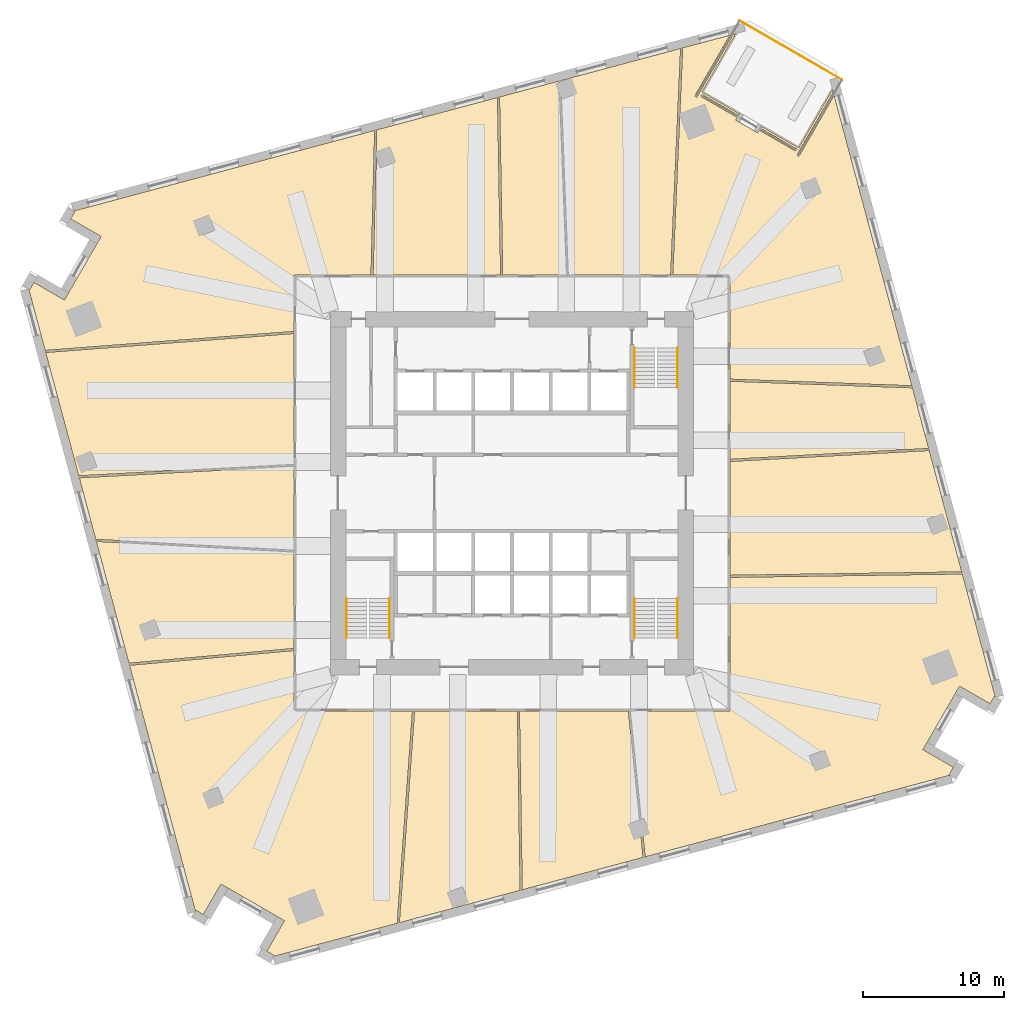
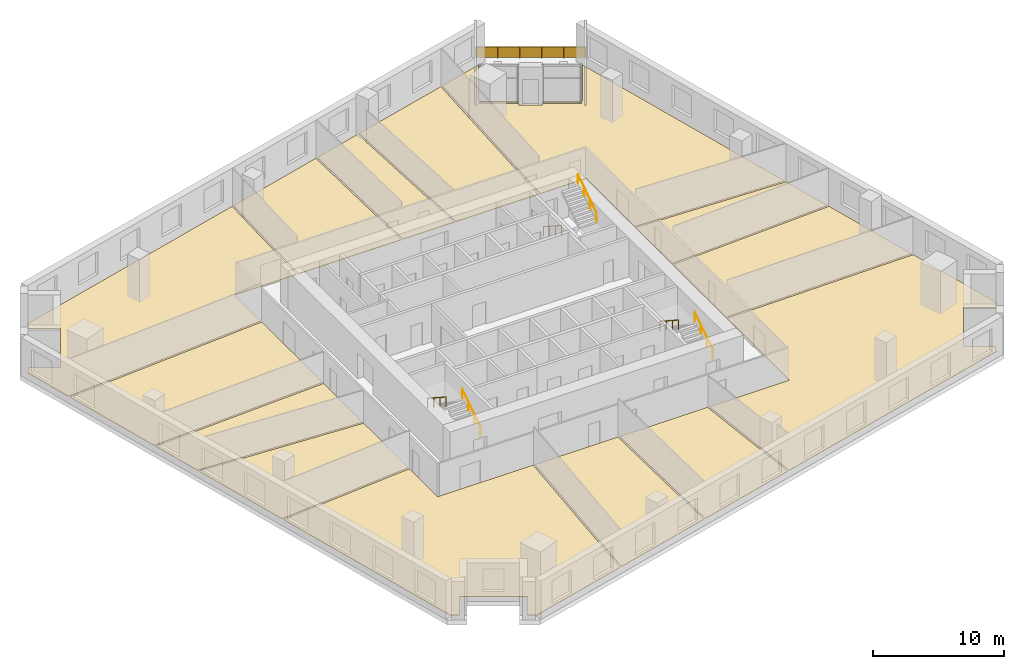
# One storey, part 10 of 11: 14 coverings, 7 railings.
"""IFC4 building model written with IfcOpenShell, lengths in metres."""

import ifcopenshell
import ifcopenshell.guid

model = None  # the IFC model being written
_history = None  # IfcOwnerHistory: only IFC2X3 demands one
_inside = {}  # id of a spatial element -> (the spatial element, [elements in it])
_under = {}  # id of a project, library or spatial element -> (it, [spatial elements below it])
_declared = {}  # id of a project -> (the project, [libraries it declares])
_typed = {}  # id of a type object -> (the type object, [elements of that type])
_made_of = {}  # id of a material, layer set ... -> (it, [elements and type objects made of it])


def new_model(schema):
    """Start an empty IFC model of exactly this schema.

    Asked for "IFC4X3", IfcOpenShell would pick the latest addendum, in which some entities
    have other attributes; the version numbers below select the first issue.
    IFC2X3 requires an IfcOwnerHistory on every rooted entity: one is made here for all.
    """
    global model, _history
    if schema == "IFC4X3":
        model = ifcopenshell.file(schema_version=(4, 3, 0, 0))
    else:
        model = ifcopenshell.file(schema=schema)
    _inside.clear()
    _under.clear()
    _declared.clear()
    _typed.clear()
    _made_of.clear()
    _history = None
    if model.schema == "IFC2X3":
        org = make("IfcOrganization", Name="unknown")
        user = make(
            "IfcPersonAndOrganization",
            ThePerson=make("IfcPerson", FamilyName="unknown"),
            TheOrganization=org,
        )
        app = make(
            "IfcApplication",
            ApplicationDeveloper=org,
            Version="unknown",
            ApplicationFullName="unknown",
            ApplicationIdentifier="unknown",
        )
        _history = make(
            "IfcOwnerHistory",
            OwningUser=user,
            OwningApplication=app,
            ChangeAction="ADDED",
            CreationDate=0,
        )
    return model


def make(cls, **values):
    """One entity of the class cls with the attributes given. An attribute that is None is left unset."""
    return model.create_entity(
        cls, **{name: value for name, value in values.items() if value is not None}
    )


def rooted(cls, **values):
    """An entity with a GlobalId (a new one), such as an element, a storey or a relation."""
    return make(cls, GlobalId=ifcopenshell.guid.new(), OwnerHistory=_history, **values)


def si_unit(unit_type, name, prefix=None):
    """IfcSIUnit, for example si_unit("LENGTHUNIT", "METRE", prefix="MILLI")."""
    return make("IfcSIUnit", UnitType=unit_type, Prefix=prefix, Name=name)


def assignment(units):
    """IfcUnitAssignment: the units of a project."""
    return None if units is None else make("IfcUnitAssignment", Units=units)


def point(xyz):
    """IfcCartesianPoint."""
    return None if xyz is None else make("IfcCartesianPoint", Coordinates=xyz)


def direction(xyz):
    """IfcDirection."""
    return None if xyz is None else make("IfcDirection", DirectionRatios=xyz)


def frame(location, z_axis=None, x_axis=None):
    """IfcAxis2Placement3D, a coordinate frame: its origin and axes. An axis left out is left unset."""
    return make(
        "IfcAxis2Placement3D",
        Location=point(location),
        Axis=direction(z_axis),
        RefDirection=direction(x_axis),
    )


def frame_2d(location, x_axis=None):
    """IfcAxis2Placement2D, a coordinate frame in the plane: its origin and x axis."""
    return make(
        "IfcAxis2Placement2D", Location=point(location), RefDirection=direction(x_axis)
    )


def origin():
    """The frame at (0, 0, 0) with its axes left unset."""
    return frame((0.0, 0.0, 0.0))


def origin_2d():
    """The frame at (0, 0) in the plane with its x axis left unset."""
    return frame_2d((0.0, 0.0))


def place(relative_to, where):
    """IfcLocalPlacement: puts the frame where relative to a parent placement (None: the world)."""
    return make(
        "IfcLocalPlacement", PlacementRelTo=relative_to, RelativePlacement=where
    )


def context(
    kind, dimensions, precision=None, world=None, true_north=None, identifier=None
):
    """IfcGeometricRepresentationContext, for example the 3D "Model" context."""
    return make(
        "IfcGeometricRepresentationContext",
        ContextIdentifier=identifier,
        ContextType=kind,
        CoordinateSpaceDimension=dimensions,
        Precision=precision,
        WorldCoordinateSystem=world,
        TrueNorth=true_north,
    )


def subcontext(parent, identifier, kind, view, scale=None):
    """IfcGeometricRepresentationSubContext, for example "Body" below "Model"."""
    return make(
        "IfcGeometricRepresentationSubContext",
        ContextIdentifier=identifier,
        ContextType=kind,
        ParentContext=parent,
        TargetScale=scale,
        TargetView=view,
    )


def project(units=None, contexts=None):
    """IfcProject with its units and contexts."""
    return rooted(
        "IfcProject",
        Name="project",
        RepresentationContexts=contexts,
        UnitsInContext=assignment(units),
    )


def spatial(cls, under=None, at=None, **own):
    """A site, building, storey or space (cls), placed at a placement, below another one or the project."""
    s = rooted(cls, ObjectPlacement=at, **own)
    if under is not None:
        _under.setdefault(under.id(), (under, []))[1].append(s)
    return s


def polyline(points):
    """IfcPolyline through the points."""
    return make("IfcPolyline", Points=[point(p) for p in points])


def profile(cls, at=None, kind="AREA", **sizes):
    """A parametric profile (cls). Its sizes go by their IFC names, for example OverallWidth=200.0."""
    return make(cls, ProfileType=kind, Position=at, **sizes)


def rectangle(**sizes):
    """IfcRectangleProfileDef."""
    return profile("IfcRectangleProfileDef", **sizes)


def circle(**sizes):
    """IfcCircleProfileDef."""
    return profile("IfcCircleProfileDef", **sizes)


def outline(outer, holes=None, kind="AREA"):
    """IfcArbitraryClosedProfileDef: a profile drawn as a closed curve; with holes, ...WithVoids."""
    if holes is None:
        return make("IfcArbitraryClosedProfileDef", ProfileType=kind, OuterCurve=outer)
    return make(
        "IfcArbitraryProfileDefWithVoids",
        ProfileType=kind,
        OuterCurve=outer,
        InnerCurves=holes,
    )


def extrude(swept, where, along, depth):
    """IfcExtrudedAreaSolid: the profile swept, set in the frame where, extruded along a direction by depth."""
    return make(
        "IfcExtrudedAreaSolid",
        SweptArea=swept,
        Position=where,
        ExtrudedDirection=direction(along),
        Depth=depth,
    )


def shape(context_of_items, identifier, shape_type, items):
    """IfcShapeRepresentation: the items that make up one representation, for example the "Body"."""
    return make(
        "IfcShapeRepresentation",
        ContextOfItems=context_of_items,
        RepresentationIdentifier=identifier,
        RepresentationType=shape_type,
        Items=items,
    )


def material(Name=None, Category=None):
    """IfcMaterial."""
    return make("IfcMaterial", Name=Name, Category=Category)


def layer(
    of_material, thickness, ventilated=None, Name=None, Category=None, Priority=None
):
    """IfcMaterialLayer: one layer of a wall or slab, of a material (None: an air gap)."""
    return make(
        "IfcMaterialLayer",
        Material=of_material,
        LayerThickness=thickness,
        IsVentilated=ventilated,
        Name=Name,
        Category=Category,
        Priority=Priority,
    )


def layer_set(layers, Name=None):
    """IfcMaterialLayerSet."""
    return make("IfcMaterialLayerSet", MaterialLayers=layers, LayerSetName=Name)


def made_of(thing, what):
    """Note that an element or type object is made of a material, layer set ...; save() writes the relation."""
    if what is not None:
        _made_of.setdefault(what.id(), (what, []))[1].append(thing)
    return thing


def type_object(cls, material=None, **own):
    """A type object (cls), such as IfcWallType, which elements share."""
    return made_of(rooted(cls, **own), material)


def element(
    cls,
    number,
    at=None,
    inside=None,
    cuts=None,
    type_object=None,
    material=None,
    context=None,
    identifier="Body",
    shape_type=None,
    held_by="IfcProductDefinitionShape",
    body=None,
    shapes=None,
    **own,
):
    """One element of the class cls, such as IfcWall. Its Tag is "e" and its number.

    at: its placement. inside: the storey or other place that contains it. cuts: it is an
    opening in that element (IfcRelVoidsElement). A single representation is given by context,
    identifier, shape_type and body (its items); several are given by shapes. held_by: the class
    of the entity that holds the representations. save() writes the other relations.
    """
    e = rooted(cls, Tag="e%d" % number, ObjectPlacement=at, **own)
    if body is not None:
        shapes = [shape(context, identifier, shape_type, body)]
    if shapes is not None:
        e.Representation = make(held_by, Representations=shapes)
    if inside is not None:
        _inside.setdefault(inside.id(), (inside, []))[1].append(e)
    if cuts is not None:
        rooted(
            "IfcRelVoidsElement", RelatingBuildingElement=cuts, RelatedOpeningElement=e
        )
    if type_object is not None:
        _typed.setdefault(type_object.id(), (type_object, []))[1].append(e)
    return made_of(e, material)


def aggregate(whole, parts):
    """IfcRelAggregates: a whole, such as a stair, and the parts it consists of."""
    return rooted("IfcRelAggregates", RelatingObject=whole, RelatedObjects=parts)


def save(model, path):
    """Write the relations noted so far, then the file.

    IfcRelAggregates (storeys below a building ...), IfcRelContainedInSpatialStructure (elements
    in a storey), IfcRelDefinesByType, IfcRelAssociatesMaterial and IfcRelDeclares: one each for
    every whole, place, type object, material and project.
    """
    for whole, parts in _under.values():
        aggregate(whole, parts)
    for where, things in _inside.values():
        rooted(
            "IfcRelContainedInSpatialStructure",
            RelatedElements=things,
            RelatingStructure=where,
        )
    for kind, things in _typed.values():
        rooted("IfcRelDefinesByType", RelatedObjects=things, RelatingType=kind)
    for what, things in _made_of.values():
        rooted("IfcRelAssociatesMaterial", RelatedObjects=things, RelatingMaterial=what)
    for by, libraries in _declared.values():
        rooted("IfcRelDeclares", RelatingContext=by, RelatedDefinitions=libraries)
    model.write(path)


model = new_model("IFC4")

# Units and contexts
model_context = context("Model", 3, precision=1e-05, world=origin(), true_north=direction((0.0, 1.0)))
body_context = subcontext(model_context, "Body", "Model", "MODEL_VIEW")
ifc_project = project(units=[si_unit("LENGTHUNIT", "METRE"), si_unit("AREAUNIT", "SQUARE_METRE"), si_unit("VOLUMEUNIT", "CUBIC_METRE"), si_unit("PLANEANGLEUNIT", "RADIAN"), si_unit("MASSUNIT", "GRAM", prefix="KILO")], contexts=[model_context])

# Site, building, storey
site_placement = place(None, origin())
site = spatial("IfcSite", under=ifc_project, at=site_placement, CompositionType="ELEMENT")
building_placement = place(site_placement, origin())
building = spatial("IfcBuilding", under=site, at=building_placement, Name="Dilmun Exchange Tower", CompositionType="ELEMENT")
storey_placement = place(building_placement, frame((0.0, 0.0, 82.10009765625)))
storey = spatial("IfcBuildingStorey", under=building, at=storey_placement, Name="L18", CompositionType="ELEMENT", Elevation=82.10009765625)

# Coverings
ifc_material_1 = material(Name="Carpet floor finish 50")
ifc_layer_1 = layer(ifc_material_1, 0.050048828125)
ifc_layer_set_1 = layer_set([ifc_layer_1], Name="Carpet floor finish 50")
covering_type_1 = type_object("IfcCoveringType", Name="Carpet floor finish 50", PredefinedType="FLOORING", material=ifc_layer_set_1)
covering_1_placement = place(storey_placement, origin())
element("IfcCovering", 1, at=covering_1_placement, inside=storey, type_object=covering_type_1, Name="Carpet floor finish 50 Analyst office", PredefinedType="FLOORING", context=body_context, shape_type="SweptSolid", body=[
    extrude(outline(polyline([(-15.47509765625, 11.327392578125), (-15.47509765625, 2.050048828125), (-30.764404296875, 1.228759765625), (-33.109619140625, 9.98095703125), (-15.47509765625, 11.327392578125)])), origin(), (0.0, 0.0, 1.0), 0.0498046875),
])
covering_2_placement = place(storey_placement, origin())
element("IfcCovering", 2, at=covering_2_placement, inside=storey, type_object=covering_type_1, Name="Carpet floor finish 50 Break-out lounge 1", PredefinedType="FLOORING", context=body_context, shape_type="SweptSolid", body=[
    extrude(outline(polyline([(-15.47509765625, -4.19921875), (-15.47509765625, -11.030029296875), (-27.197998046875, -12.080322265625), (-29.515380859375, -3.431884765625), (-15.47509765625, -4.19921875)])), origin(), (0.0, 0.0, 1.0), 0.0498046875),
])
covering_3_placement = place(storey_placement, origin())
element("IfcCovering", 3, at=covering_3_placement, inside=storey, type_object=covering_type_1, Name="Carpet floor finish 50 Open office 1", PredefinedType="FLOORING", context=body_context, shape_type="SweptSolid", body=[
    extrude(outline(polyline([(-10.010009765625, 15.47509765625), (-15.47509765625, 15.47509765625), (-15.47509765625, 11.477783203125), (-33.14892578125, 10.12841796875), (-34.311279296875, 14.46630859375), (-34.25, 14.430908203125), (-34.249755859375, 14.4306640625), (-34.24951171875, 14.4306640625), (-34.24951171875, 14.430419921875), (-34.249267578125, 14.430419921875), (-34.2490234375, 14.430419921875), (-34.248779296875, 14.430419921875), (-34.24853515625, 14.430419921875), (-34.248291015625, 14.4306640625), (-34.248291015625, 14.4306640625), (-34.248046875, 14.4306640625), (-34.247802734375, 14.430908203125), (-34.247802734375, 14.430908203125), (-34.24755859375, 14.430908203125), (-34.247314453125, 14.43115234375), (-34.247314453125, 14.431396484375), (-34.247314453125, 14.431396484375), (-33.9423828125, 14.959228515625), (-31.779296875, 13.710205078125), (-31.779052734375, 13.710205078125), (-31.77880859375, 13.7099609375), (-31.77880859375, 13.7099609375), (-31.778564453125, 13.7099609375), (-31.7783203125, 13.7099609375), (-31.778076171875, 13.7099609375), (-31.77783203125, 13.7099609375), (-31.777587890625, 13.7099609375), (-31.777587890625, 13.7099609375), (-31.77734375, 13.710205078125), (-31.777099609375, 13.710205078125), (-31.777099609375, 13.710205078125), (-31.77685546875, 13.71044921875), (-31.776611328125, 13.710693359375), (-31.776611328125, 13.710693359375), (-31.776611328125, 13.7109375), (-31.4765625, 14.23046875), (-29.4765625, 17.694580078125), (-29.476318359375, 17.694580078125), (-29.176513671875, 18.214111328125), (-29.176513671875, 18.21435546875), (-29.17626953125, 18.214599609375), (-29.17626953125, 18.21484375), (-29.17626953125, 18.21484375), (-29.17626953125, 18.215087890625), (-29.17626953125, 18.21533203125), (-29.17626953125, 18.215576171875), (-29.17626953125, 18.2158203125), (-29.17626953125, 18.2158203125), (-29.176513671875, 18.216064453125), (-29.176513671875, 18.21630859375), (-29.176513671875, 18.21630859375), (-29.1767578125, 18.216552734375), (-29.177001953125, 18.216796875), (-29.177001953125, 18.216796875), (-29.17724609375, 18.216796875), (-31.340576171875, 19.4658203125), (-31.035888671875, 19.99365234375), (-31.035888671875, 19.993896484375), (-31.03564453125, 19.993896484375), (-31.03564453125, 19.994140625), (-31.03564453125, 19.994384765625), (-31.03564453125, 19.994384765625), (-31.03564453125, 19.99462890625), (-31.03564453125, 19.994873046875), (-31.03564453125, 19.9951171875), (-31.03564453125, 19.995361328125), (-31.035888671875, 19.99560546875), (-31.035888671875, 19.99560546875), (-31.035888671875, 19.995849609375), (-31.0361328125, 19.99609375), (-31.036376953125, 19.99609375), (-31.036376953125, 19.99609375), (-31.03662109375, 19.996337890625), (-31.097900390625, 20.03173828125), (-9.752685546875, 25.751220703125), (-10.010009765625, 15.47509765625)])), origin(), (0.0, 0.0, 1.0), 0.0498046875),
])
covering_4_placement = place(storey_placement, origin())
element("IfcCovering", 4, at=covering_4_placement, inside=storey, type_object=covering_type_1, Name="Carpet floor finish 50 Open office 2", PredefinedType="FLOORING", context=body_context, shape_type="SweptSolid", body=[
    extrude(outline(polyline([(-15.47509765625, -11.1806640625), (-15.47509765625, -15.47509765625), (-7.068603515625, -15.47509765625), (-8.151611328125, -30.548583984375), (-16.915771484375, -32.897216796875), (-16.88037109375, -32.835693359375), (-16.880126953125, -32.83544921875), (-16.880126953125, -32.835205078125), (-16.8798828125, -32.835205078125), (-16.8798828125, -32.8349609375), (-16.8798828125, -32.834716796875), (-16.8798828125, -32.834716796875), (-16.8798828125, -32.83447265625), (-16.880126953125, -32.834228515625), (-16.880126953125, -32.833984375), (-16.880126953125, -32.833740234375), (-16.88037109375, -32.83349609375), (-16.88037109375, -32.83349609375), (-16.880615234375, -32.833251953125), (-16.880615234375, -32.833251953125), (-16.880859375, -32.8330078125), (-16.881103515625, -32.8330078125), (-17.40869140625, -32.5283203125), (-16.15966796875, -30.364990234375), (-16.15966796875, -30.36474609375), (-16.159423828125, -30.364501953125), (-16.159423828125, -30.364501953125), (-16.159423828125, -30.3642578125), (-16.159423828125, -30.364013671875), (-16.159423828125, -30.364013671875), (-16.159423828125, -30.36376953125), (-16.159423828125, -30.363525390625), (-16.159423828125, -30.36328125), (-16.15966796875, -30.363037109375), (-16.15966796875, -30.36279296875), (-16.159912109375, -30.36279296875), (-16.159912109375, -30.362548828125), (-16.16015625, -30.362548828125), (-16.16015625, -30.3623046875), (-16.160400390625, -30.3623046875), (-16.679931640625, -30.062255859375), (-20.14404296875, -28.062255859375), (-20.144287109375, -28.062255859375), (-20.663818359375, -27.76220703125), (-20.663818359375, -27.76220703125), (-20.6640625, -27.76220703125), (-20.664306640625, -27.761962890625), (-20.664306640625, -27.761962890625), (-20.66455078125, -27.761962890625), (-20.664794921875, -27.761962890625), (-20.6650390625, -27.761962890625), (-20.665283203125, -27.76220703125), (-20.665283203125, -27.76220703125), (-20.66552734375, -27.76220703125), (-20.665771484375, -27.76220703125), (-20.666015625, -27.762451171875), (-20.666015625, -27.762451171875), (-20.666259765625, -27.7626953125), (-20.666259765625, -27.7626953125), (-20.66650390625, -27.762939453125), (-21.915283203125, -29.92626953125), (-22.443115234375, -29.62158203125), (-22.443359375, -29.62158203125), (-22.443603515625, -29.62158203125), (-22.443603515625, -29.621337890625), (-22.44384765625, -29.621337890625), (-22.444091796875, -29.621337890625), (-22.444091796875, -29.621337890625), (-22.4443359375, -29.621337890625), (-22.444580078125, -29.62158203125), (-22.44482421875, -29.62158203125), (-22.445068359375, -29.62158203125), (-22.4453125, -29.62158203125), (-22.4453125, -29.621826171875), (-22.445556640625, -29.621826171875), (-22.445556640625, -29.6220703125), (-22.44580078125, -29.622314453125), (-22.44580078125, -29.622314453125), (-22.481201171875, -29.683837890625), (-27.15869140625, -12.2275390625), (-15.47509765625, -11.1806640625)])), origin(), (0.0, 0.0, 1.0), 0.0498046875),
])
covering_5_placement = place(storey_placement, origin())
element("IfcCovering", 5, at=covering_5_placement, inside=storey, type_object=covering_type_1, Name="Carpet floor finish 50 Break-out lounge 2", PredefinedType="FLOORING", context=body_context, shape_type="SweptSolid", body=[
    extrude(outline(polyline([(-0.80908203125, 15.47509765625), (-9.860107421875, 15.47509765625), (-9.601806640625, 25.791748046875), (-1.0322265625, 28.087890625), (-0.80908203125, 15.47509765625)])), origin(), (0.0, 0.0, 1.0), 0.0498046875),
])
covering_6_placement = place(storey_placement, origin())
element("IfcCovering", 6, at=covering_6_placement, inside=storey, type_object=covering_type_1, Name="Carpet floor finish 50 Garden lounge", PredefinedType="FLOORING", context=body_context, shape_type="SweptSolid", body=[
    extrude(outline(polyline([(13.49267578125, 28.469482421875), (16.144287109375, 26.9384765625), (16.072998046875, 26.814697265625), (13.486083984375, 28.30810546875), (13.48583984375, 28.308349609375), (13.485595703125, 28.308349609375), (13.485595703125, 28.308349609375), (13.4853515625, 28.30859375), (13.485107421875, 28.30859375), (13.48486328125, 28.30859375), (13.484619140625, 28.30859375), (13.484619140625, 28.308349609375), (13.484375, 28.308349609375), (13.484130859375, 28.308349609375), (13.48388671875, 28.30810546875), (13.48388671875, 28.30810546875), (13.483642578125, 28.307861328125), (13.4833984375, 28.307861328125), (13.4833984375, 28.3076171875), (13.4833984375, 28.3076171875), (13.4033203125, 28.1689453125), (13.4033203125, 28.168701171875), (13.403076171875, 28.168701171875), (13.403076171875, 28.16845703125), (13.403076171875, 28.168212890625), (13.403076171875, 28.16796875), (13.403076171875, 28.167724609375), (13.403076171875, 28.16748046875), (13.403076171875, 28.16748046875), (13.403076171875, 28.167236328125), (13.4033203125, 28.1669921875), (13.4033203125, 28.1669921875), (13.4033203125, 28.166748046875), (13.403564453125, 28.16650390625), (13.40380859375, 28.16650390625), (13.40380859375, 28.166259765625), (13.404052734375, 28.166259765625), (15.990966796875, 26.672607421875), (15.882080078125, 26.48388671875), (15.8818359375, 26.483642578125), (15.8818359375, 26.4833984375), (15.881591796875, 26.4833984375), (15.881591796875, 26.483154296875), (15.881591796875, 26.48291015625), (15.881591796875, 26.48291015625), (15.881591796875, 26.482666015625), (15.8818359375, 26.482421875), (15.8818359375, 26.482177734375), (15.8818359375, 26.48193359375), (15.882080078125, 26.481689453125), (15.882080078125, 26.481689453125), (15.882080078125, 26.4814453125), (15.88232421875, 26.4814453125), (15.882568359375, 26.481201171875), (15.8828125, 26.481201171875), (17.44140625, 25.581298828125), (17.441650390625, 25.5810546875), (17.44189453125, 25.5810546875), (17.44189453125, 25.580810546875), (17.442138671875, 25.580810546875), (17.4423828125, 25.580810546875), (17.442626953125, 25.580810546875), (17.44287109375, 25.580810546875), (17.443115234375, 25.5810546875), (17.443115234375, 25.5810546875), (17.443359375, 25.5810546875), (17.443603515625, 25.581298828125), (17.443603515625, 25.581298828125), (17.44384765625, 25.581298828125), (17.444091796875, 25.58154296875), (17.444091796875, 25.581787109375), (17.444091796875, 25.581787109375), (17.55322265625, 25.770751953125), (20.14013671875, 24.277099609375), (20.140380859375, 24.277099609375), (20.140380859375, 24.27685546875), (20.140625, 24.27685546875), (20.140869140625, 24.27685546875), (20.14111328125, 24.27685546875), (20.14111328125, 24.27685546875), (20.141357421875, 24.27685546875), (20.1416015625, 24.27685546875), (20.141845703125, 24.27685546875), (20.14208984375, 24.277099609375), (20.14208984375, 24.277099609375), (20.142333984375, 24.277099609375), (20.142578125, 24.27734375), (20.142578125, 24.277587890625), (20.142578125, 24.277587890625), (20.142822265625, 24.27783203125), (20.222900390625, 24.41650390625), (20.222900390625, 24.41650390625), (20.222900390625, 24.416748046875), (20.222900390625, 24.4169921875), (20.22314453125, 24.4169921875), (20.22314453125, 24.417236328125), (20.22314453125, 24.41748046875), (20.22314453125, 24.417724609375), (20.222900390625, 24.41796875), (20.222900390625, 24.418212890625), (20.222900390625, 24.418212890625), (20.222900390625, 24.41845703125), (20.22265625, 24.418701171875), (20.22265625, 24.418701171875), (20.222412109375, 24.4189453125), (20.222412109375, 24.4189453125), (20.22216796875, 24.419189453125), (17.63525390625, 25.91259765625), (17.706787109375, 26.03662109375), (20.358642578125, 24.505615234375), (22.756103515625, 28.658203125), (22.80859375, 28.462890625), (20.219970703125, 23.979248046875), (20.2197265625, 23.97900390625), (20.2197265625, 23.97900390625), (20.2197265625, 23.978759765625), (20.219482421875, 23.978515625), (20.219482421875, 23.978515625), (20.219482421875, 23.978271484375), (20.219482421875, 23.97802734375), (20.2197265625, 23.977783203125), (20.2197265625, 23.9775390625), (20.2197265625, 23.977294921875), (20.219970703125, 23.977294921875), (20.219970703125, 23.97705078125), (20.22021484375, 23.976806640625), (20.22021484375, 23.976806640625), (20.220458984375, 23.976806640625), (20.220703125, 23.9765625), (20.359130859375, 23.896484375), (20.359375, 23.896484375), (20.359619140625, 23.896484375), (20.359619140625, 23.896484375), (20.35986328125, 23.896240234375), (20.360107421875, 23.896240234375), (20.3603515625, 23.896240234375), (20.360595703125, 23.896240234375), (20.360595703125, 23.896484375), (20.36083984375, 23.896484375), (20.361083984375, 23.896484375), (20.361083984375, 23.896484375), (20.361328125, 23.896728515625), (20.361572265625, 23.896728515625), (20.36181640625, 23.89697265625), (20.36181640625, 23.897216796875), (20.36181640625, 23.897216796875), (22.868408203125, 28.23876953125), (28.392822265625, 7.621337890625), (15.47509765625, 8.08837890625), (15.47509765625, 15.47509765625), (11.4140625, 15.47509765625), (12.1201171875, 31.612060546875), (15.470703125, 32.509765625), (12.964111328125, 28.16845703125), (12.964111328125, 28.168212890625), (12.964111328125, 28.16796875), (12.964111328125, 28.16796875), (12.9638671875, 28.167724609375), (12.9638671875, 28.16748046875), (12.9638671875, 28.167236328125), (12.9638671875, 28.1669921875), (12.964111328125, 28.1669921875), (12.964111328125, 28.166748046875), (12.964111328125, 28.16650390625), (12.964111328125, 28.166259765625), (12.96435546875, 28.166259765625), (12.964599609375, 28.166015625), (12.964599609375, 28.166015625), (12.96484375, 28.165771484375), (12.96484375, 28.165771484375), (13.103515625, 28.085693359375), (13.103759765625, 28.085693359375), (13.103759765625, 28.08544921875), (13.10400390625, 28.08544921875), (13.104248046875, 28.08544921875), (13.1044921875, 28.08544921875), (13.1044921875, 28.08544921875), (13.104736328125, 28.08544921875), (13.10498046875, 28.08544921875), (13.105224609375, 28.08544921875), (13.10546875, 28.085693359375), (13.10546875, 28.085693359375), (13.105712890625, 28.085693359375), (13.105712890625, 28.0859375), (13.10595703125, 28.086181640625), (13.106201171875, 28.086181640625), (13.106201171875, 28.08642578125), (15.694580078125, 32.56982421875), (15.89013671875, 32.622314453125), (13.49267578125, 28.469482421875)])), origin(), (0.0, 0.0, 1.0), 0.0498046875),
])
covering_7_placement = place(storey_placement, origin())
element("IfcCovering", 7, at=covering_7_placement, inside=storey, type_object=covering_type_1, Name="Carpet floor finish 50 Open office 3", PredefinedType="FLOORING", context=body_context, shape_type="SweptSolid", body=[
    extrude(outline(polyline([(8.415283203125, -15.47509765625), (15.47509765625, -15.47509765625), (15.47509765625, -5.986328125), (31.974609375, -5.74560546875), (34.311279296875, -14.46630859375), (34.25, -14.430908203125), (34.249755859375, -14.4306640625), (34.24951171875, -14.4306640625), (34.24951171875, -14.430419921875), (34.249267578125, -14.430419921875), (34.2490234375, -14.430419921875), (34.248779296875, -14.430419921875), (34.24853515625, -14.430419921875), (34.248291015625, -14.4306640625), (34.248291015625, -14.4306640625), (34.248046875, -14.4306640625), (34.247802734375, -14.430908203125), (34.247802734375, -14.430908203125), (34.24755859375, -14.430908203125), (34.247314453125, -14.43115234375), (34.247314453125, -14.431396484375), (34.247314453125, -14.431396484375), (33.9423828125, -14.959228515625), (31.779296875, -13.710205078125), (31.779052734375, -13.710205078125), (31.77880859375, -13.7099609375), (31.77880859375, -13.7099609375), (31.778564453125, -13.7099609375), (31.7783203125, -13.7099609375), (31.778076171875, -13.7099609375), (31.77783203125, -13.7099609375), (31.777587890625, -13.7099609375), (31.777587890625, -13.7099609375), (31.77734375, -13.710205078125), (31.777099609375, -13.710205078125), (31.777099609375, -13.710205078125), (31.77685546875, -13.71044921875), (31.776611328125, -13.710693359375), (31.776611328125, -13.710693359375), (31.776611328125, -13.7109375), (31.4765625, -14.23046875), (29.4765625, -17.694580078125), (29.476318359375, -17.694580078125), (29.176513671875, -18.214111328125), (29.176513671875, -18.21435546875), (29.17626953125, -18.214599609375), (29.17626953125, -18.21484375), (29.17626953125, -18.21484375), (29.17626953125, -18.215087890625), (29.17626953125, -18.21533203125), (29.17626953125, -18.215576171875), (29.17626953125, -18.2158203125), (29.17626953125, -18.2158203125), (29.176513671875, -18.216064453125), (29.176513671875, -18.21630859375), (29.176513671875, -18.21630859375), (29.1767578125, -18.216552734375), (29.177001953125, -18.216796875), (29.177001953125, -18.216796875), (29.17724609375, -18.216796875), (31.340576171875, -19.4658203125), (31.035888671875, -19.99365234375), (31.035888671875, -19.993896484375), (31.03564453125, -19.993896484375), (31.03564453125, -19.994140625), (31.03564453125, -19.994384765625), (31.03564453125, -19.994384765625), (31.03564453125, -19.99462890625), (31.03564453125, -19.994873046875), (31.03564453125, -19.9951171875), (31.03564453125, -19.995361328125), (31.035888671875, -19.99560546875), (31.035888671875, -19.99560546875), (31.035888671875, -19.995849609375), (31.0361328125, -19.99609375), (31.036376953125, -19.99609375), (31.036376953125, -19.99609375), (31.03662109375, -19.996337890625), (31.097900390625, -20.03173828125), (9.455322265625, -25.830810546875), (8.415283203125, -15.47509765625)])), origin(), (0.0, 0.0, 1.0), 0.0498046875),
])
covering_8_placement = place(storey_placement, origin())
element("IfcCovering", 8, at=covering_8_placement, inside=storey, type_object=covering_type_1, Name="Carpet floor finish 50 Meeting room", PredefinedType="FLOORING", context=body_context, shape_type="SweptSolid", body=[
    extrude(outline(polyline([(15.47509765625, 2.395263671875), (15.47509765625, 7.9384765625), (28.43359375, 7.4697265625), (29.5859375, 3.168701171875), (15.47509765625, 2.395263671875)])), origin(), (0.0, 0.0, 1.0), 0.0498046875),
])
covering_9_placement = place(storey_placement, origin())
element("IfcCovering", 9, at=covering_9_placement, inside=storey, type_object=covering_type_1, Name="Carpet floor finish 50 Break-out lounge 3", PredefinedType="FLOORING", context=body_context, shape_type="SweptSolid", body=[
    extrude(outline(polyline([(15.47509765625, -5.836181640625), (15.47509765625, 2.2451171875), (29.625732421875, 3.020751953125), (31.9345703125, -5.59619140625), (15.47509765625, -5.836181640625)])), origin(), (0.0, 0.0, 1.0), 0.0498046875),
])

# Railings
ifc_material_2 = material(Name="Stainless steel", Category="steel")
railing_type_1 = type_object("IfcRailingType", Name="Stair handrail 900", PredefinedType="HANDRAIL", material=ifc_material_2)
railing_1_placement = place(storey_placement, frame((8.699951171875, 10.300048828125, 0.181640625)))
element("IfcRailing", 10, at=railing_1_placement, inside=storey, type_object=railing_type_1, Name="L18 ST1 stair handrail 1", PredefinedType="HANDRAIL", context=body_context, shape_type="SweptSolid", body=[
    extrude(circle(Radius=0.02392578125, at=origin_2d()), frame((0.0, 0.0, 0.8759765625), z_axis=(0.0, -0.838672427954, 0.544636170843), x_axis=(1.0, 0.0, 0.0)), (0.0, 0.0, 1.0), 3.338623046875),
    extrude(circle(Radius=0.02099609375, at=origin_2d()), origin(), (0.0, 0.0, 1.0), 0.851806640625),
    extrude(circle(Radius=0.02099609375, at=origin_2d()), frame((0.0, -0.933349609375, 0.606201171875)), (0.0, 0.0, 1.0), 0.851806640625),
    extrude(circle(Radius=0.02099609375, at=origin_2d()), frame((0.0, -1.86669921875, 1.212158203125)), (0.0, 0.0, 1.0), 0.851806640625),
    extrude(circle(Radius=0.02099609375, at=origin_2d()), frame((0.0, -2.800048828125, 1.818359375)), (0.0, 0.0, 1.0), 0.851806640625),
])
for number, where, name in (
    (11, (11.75, 7.5, 2.181640625), "L18 ST1 stair handrail 2"),
    (12, (-8.699951171875, -10.300048828125, 0.181640625), "L18 ST2 stair handrail 1"),
):
    element("IfcRailing", number, at=place(storey_placement, frame(where)), inside=storey, type_object=railing_type_1, Name=name, PredefinedType="HANDRAIL", context=body_context, shape_type="SweptSolid", body=[
        extrude(circle(Radius=0.02392578125, at=origin_2d()), frame((0.0, 0.0, 0.8759765625), z_axis=(0.0, 0.838672427954, 0.544636170843), x_axis=(-1.0, 0.0, 0.0)), (0.0, 0.0, 1.0), 3.338623046875),
        extrude(circle(Radius=0.02099609375, at=origin_2d()), origin(), (0.0, 0.0, 1.0), 0.851806640625),
        extrude(circle(Radius=0.02099609375, at=origin_2d()), frame((0.0, 0.933349609375, 0.606201171875)), (0.0, 0.0, 1.0), 0.851806640625),
        extrude(circle(Radius=0.02099609375, at=origin_2d()), frame((0.0, 1.86669921875, 1.212158203125)), (0.0, 0.0, 1.0), 0.851806640625),
        extrude(circle(Radius=0.02099609375, at=origin_2d()), frame((0.0, 2.800048828125, 1.818359375)), (0.0, 0.0, 1.0), 0.851806640625),
    ])
railing_2_placement = place(storey_placement, frame((-11.75, -7.5, 2.181640625)))
element("IfcRailing", 13, at=railing_2_placement, inside=storey, type_object=railing_type_1, Name="L18 ST2 stair handrail 2", PredefinedType="HANDRAIL", context=body_context, shape_type="SweptSolid", body=[
    extrude(circle(Radius=0.02392578125, at=origin_2d()), frame((0.0, 0.0, 0.8759765625), z_axis=(0.0, -0.838672427954, 0.544636170843), x_axis=(1.0, 0.0, 0.0)), (0.0, 0.0, 1.0), 3.338623046875),
    extrude(circle(Radius=0.02099609375, at=origin_2d()), origin(), (0.0, 0.0, 1.0), 0.851806640625),
    extrude(circle(Radius=0.02099609375, at=origin_2d()), frame((0.0, -0.933349609375, 0.606201171875)), (0.0, 0.0, 1.0), 0.851806640625),
    extrude(circle(Radius=0.02099609375, at=origin_2d()), frame((0.0, -1.86669921875, 1.212158203125)), (0.0, 0.0, 1.0), 0.851806640625),
    extrude(circle(Radius=0.02099609375, at=origin_2d()), frame((0.0, -2.800048828125, 1.818359375)), (0.0, 0.0, 1.0), 0.851806640625),
])
railing_3_placement = place(storey_placement, frame((11.75, -10.300048828125, 0.181640625)))
element("IfcRailing", 14, at=railing_3_placement, inside=storey, type_object=railing_type_1, Name="L18 ST3 stair handrail 1", PredefinedType="HANDRAIL", context=body_context, shape_type="SweptSolid", body=[
    extrude(circle(Radius=0.02392578125, at=origin_2d()), frame((0.0, 0.0, 0.8759765625), z_axis=(0.0, 0.838672427954, 0.544636170843), x_axis=(-1.0, 0.0, 0.0)), (0.0, 0.0, 1.0), 3.338623046875),
    extrude(circle(Radius=0.02099609375, at=origin_2d()), origin(), (0.0, 0.0, 1.0), 0.851806640625),
    extrude(circle(Radius=0.02099609375, at=origin_2d()), frame((0.0, 0.933349609375, 0.606201171875)), (0.0, 0.0, 1.0), 0.851806640625),
    extrude(circle(Radius=0.02099609375, at=origin_2d()), frame((0.0, 1.86669921875, 1.212158203125)), (0.0, 0.0, 1.0), 0.851806640625),
    extrude(circle(Radius=0.02099609375, at=origin_2d()), frame((0.0, 2.800048828125, 1.818359375)), (0.0, 0.0, 1.0), 0.851806640625),
])
railing_4_placement = place(storey_placement, frame((8.699951171875, -7.5, 2.181640625)))
element("IfcRailing", 15, at=railing_4_placement, inside=storey, type_object=railing_type_1, Name="L18 ST3 stair handrail 2", PredefinedType="HANDRAIL", context=body_context, shape_type="SweptSolid", body=[
    extrude(circle(Radius=0.02392578125, at=origin_2d()), frame((0.0, 0.0, 0.8759765625), z_axis=(0.0, -0.838672427954, 0.544636170843), x_axis=(1.0, 0.0, 0.0)), (0.0, 0.0, 1.0), 3.338623046875),
    extrude(circle(Radius=0.02099609375, at=origin_2d()), origin(), (0.0, 0.0, 1.0), 0.851806640625),
    extrude(circle(Radius=0.02099609375, at=origin_2d()), frame((0.0, -0.933349609375, 0.606201171875)), (0.0, 0.0, 1.0), 0.851806640625),
    extrude(circle(Radius=0.02099609375, at=origin_2d()), frame((0.0, -1.86669921875, 1.212158203125)), (0.0, 0.0, 1.0), 0.851806640625),
    extrude(circle(Radius=0.02099609375, at=origin_2d()), frame((0.0, -2.800048828125, 1.818359375)), (0.0, 0.0, 1.0), 0.851806640625),
])

# Coverings
ifc_material_3 = material(Name="Stone floor finish 50", Category="masonry")
ifc_layer_2 = layer(ifc_material_3, 0.050048828125)
ifc_layer_set_2 = layer_set([ifc_layer_2], Name="Stone floor finish 50")
covering_type_2 = type_object("IfcCoveringType", Name="Stone floor finish 50", PredefinedType="FLOORING", material=ifc_layer_set_2)
covering_10_placement = place(storey_placement, origin())
element("IfcCovering", 16, at=covering_10_placement, inside=storey, type_object=covering_type_2, Name="Stone floor finish 50 Reception 1", PredefinedType="FLOORING", context=body_context, shape_type="SweptSolid", body=[
    extrude(outline(polyline([(-15.47509765625, 1.89990234375), (-15.47509765625, -4.049072265625), (-29.556396484375, -3.279296875), (-30.724609375, 1.08056640625), (-15.47509765625, 1.89990234375)])), origin(), (0.0, 0.0, 1.0), 0.0498046875),
])
covering_11_placement = place(storey_placement, origin())
element("IfcCovering", 17, at=covering_11_placement, inside=storey, type_object=covering_type_2, Name="Stone floor finish 50 Reception 2", PredefinedType="FLOORING", context=body_context, shape_type="SweptSolid", body=[
    extrude(outline(polyline([(-6.918212890625, -15.47509765625), (0.380615234375, -15.47509765625), (0.576904296875, -28.2099609375), (-7.998291015625, -30.507568359375), (-6.918212890625, -15.47509765625)])), origin(), (0.0, 0.0, 1.0), 0.0498046875),
])
covering_12_placement = place(storey_placement, origin())
element("IfcCovering", 18, at=covering_12_placement, inside=storey, type_object=covering_type_2, Name="Stone floor finish 50 Reception 3", PredefinedType="FLOORING", context=body_context, shape_type="SweptSolid", body=[
    extrude(outline(polyline([(3.8603515625, 15.47509765625), (-0.6591796875, 15.47509765625), (-0.8828125, 28.1279296875), (3.32763671875, 29.256103515625), (3.8603515625, 15.47509765625)])), origin(), (0.0, 0.0, 1.0), 0.0498046875),
])
covering_13_placement = place(storey_placement, origin())
element("IfcCovering", 19, at=covering_13_placement, inside=storey, type_object=covering_type_2, Name="Stone floor finish 50 Reception 4", PredefinedType="FLOORING", context=body_context, shape_type="SweptSolid", body=[
    extrude(outline(polyline([(0.530517578125, -15.47509765625), (8.2646484375, -15.47509765625), (9.30859375, -25.870361328125), (0.726318359375, -28.169921875), (0.530517578125, -15.47509765625)])), origin(), (0.0, 0.0, 1.0), 0.0498046875),
])
covering_14_placement = place(storey_placement, origin())
element("IfcCovering", 20, at=covering_14_placement, inside=storey, type_object=covering_type_2, Name="Stone floor finish 50 Reception 5", PredefinedType="FLOORING", context=body_context, shape_type="SweptSolid", body=[
    extrude(outline(polyline([(11.263916015625, 15.47509765625), (4.010498046875, 15.47509765625), (3.476318359375, 29.2958984375), (11.96826171875, 31.5712890625), (11.263916015625, 15.47509765625)])), origin(), (0.0, 0.0, 1.0), 0.0498046875),
])

# Railing
railing_type_2 = type_object("IfcRailingType", Name="Terrace guard 1100 stainless steel", PredefinedType="GUARDRAIL", material=ifc_material_2)
railing_5_placement = place(storey_placement, frame((16.158447265625, 33.537109375, 0.0)))
element("IfcRailing", 21, at=railing_5_placement, inside=storey, type_object=railing_type_2, Name="Terrace guard 1", PredefinedType="GUARDRAIL", context=body_context, shape_type="SweptSolid", body=[
    extrude(circle(Radius=0.02392578125, at=origin_2d()), frame((0.0, 0.0, 1.076171875), z_axis=(0.866023511121, -0.500003278174, 0.0), x_axis=(0.500003278174, 0.866023511121, 0.0)), (0.0, 0.0, 1.0), 8.37841796875),
    extrude(rectangle(XDim=0.011962890625, YDim=0.951904296875, at=origin_2d()), frame((0.0, 0.0, 0.576171875), z_axis=(0.866023511121, -0.500003278174, 0.0), x_axis=(0.500003278174, 0.866023511121, 0.0)), (0.0, 0.0, 1.0), 8.37841796875),
    extrude(circle(Radius=0.02099609375, at=origin_2d()), origin(), (0.0, 0.0, 1.0), 1.052001953125),
    extrude(circle(Radius=0.02099609375, at=origin_2d()), frame((1.451171875, -0.837890625, 0.0)), (0.0, 0.0, 1.0), 1.052001953125),
    extrude(circle(Radius=0.02099609375, at=origin_2d()), frame((2.90234375, -1.67578125, 0.0)), (0.0, 0.0, 1.0), 1.052001953125),
    extrude(circle(Radius=0.02099609375, at=origin_2d()), frame((4.353515625, -2.513427734375, 0.0)), (0.0, 0.0, 1.0), 1.052001953125),
    extrude(circle(Radius=0.02099609375, at=origin_2d()), frame((5.8046875, -3.351318359375, 0.0)), (0.0, 0.0, 1.0), 1.052001953125),
    extrude(circle(Radius=0.02099609375, at=origin_2d()), frame((7.255859375, -4.189208984375, 0.0)), (0.0, 0.0, 1.0), 1.052001953125),
])

save(model, "model.ifc")
